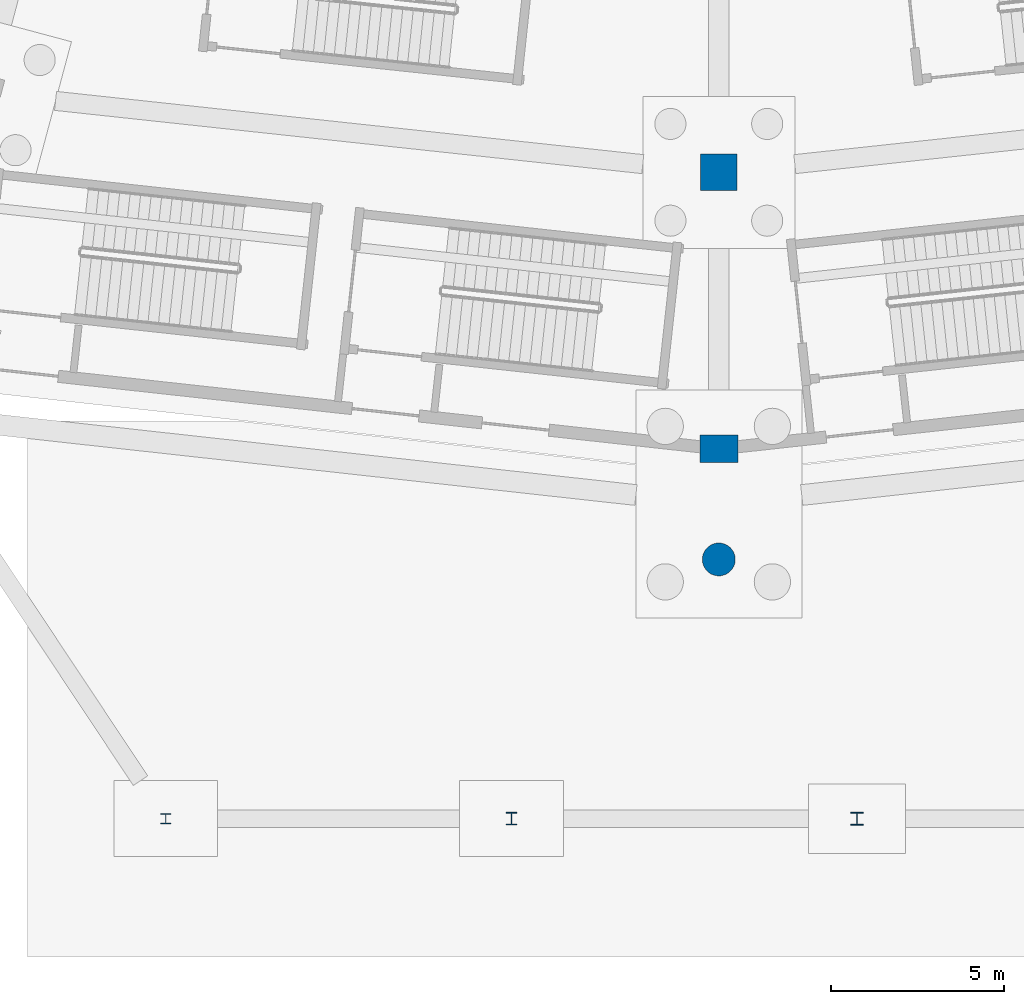
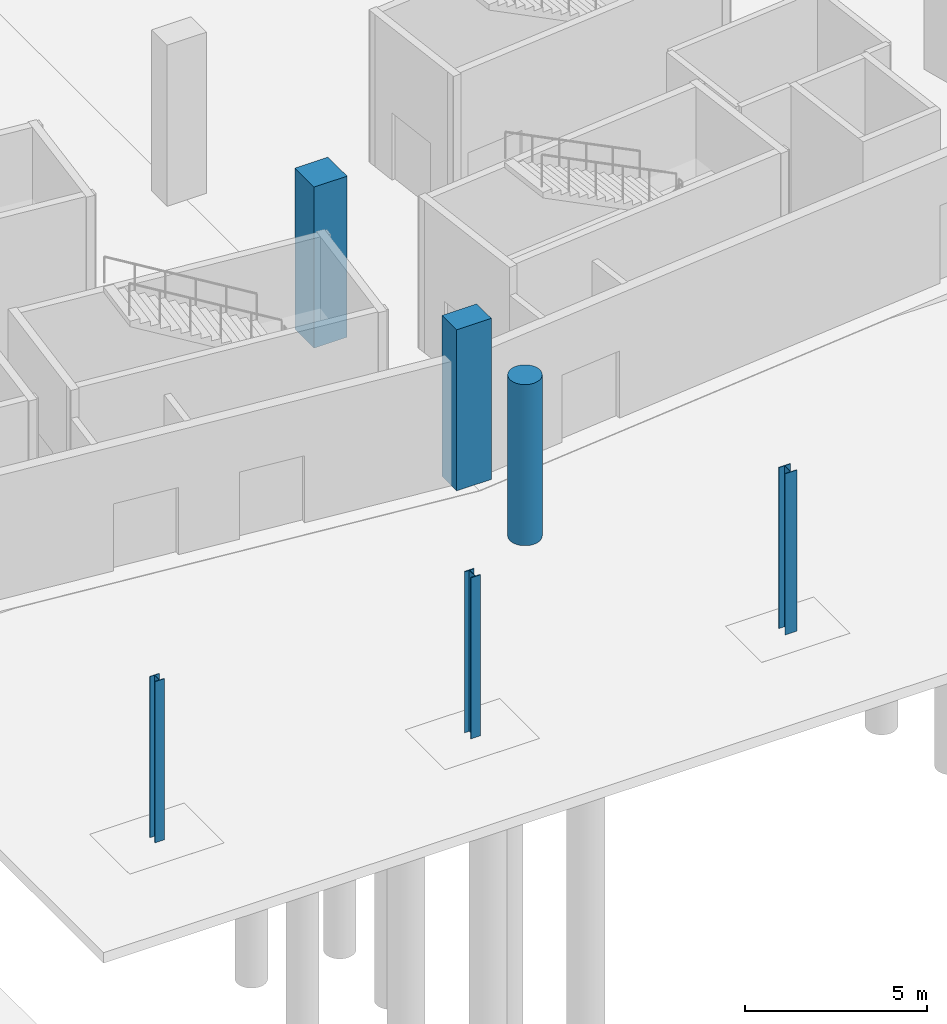
# One storey, part 17 of 103: 6 columns.
"""IFC4 building model written with IfcOpenShell, lengths in metres."""

from ifc_helpers import new_model, si_unit, direction, frame, origin, origin_2d, place, context, subcontext, project, spatial, rectangle, circle, i_section, extrude, material, material_profile, profile_set, type_object, element, save


model = new_model("IFC4")

# Units and contexts
model_context = context("Model", 3, precision=1e-05, world=origin(), true_north=direction((0.0, 1.0)))
body_context = subcontext(model_context, "Body", "Model", "MODEL_VIEW")
ifc_project = project(units=[si_unit("LENGTHUNIT", "METRE"), si_unit("AREAUNIT", "SQUARE_METRE"), si_unit("VOLUMEUNIT", "CUBIC_METRE"), si_unit("PLANEANGLEUNIT", "RADIAN"), si_unit("MASSUNIT", "GRAM", prefix="KILO")], contexts=[model_context])

# Site, building, storey
site_placement = place(None, origin())
site = spatial("IfcSite", under=ifc_project, at=site_placement, CompositionType="ELEMENT")
building_placement = place(site_placement, origin())
building = spatial("IfcBuilding", under=site, at=building_placement, Name="Zevraka Park Crest Stadium", CompositionType="ELEMENT")
storey_placement = place(building_placement, origin())
storey = spatial("IfcBuildingStorey", under=building, at=storey_placement, Name="L00", CompositionType="ELEMENT", Elevation=0.0)

# Columns
ifc_material_1 = material(Name="Concrete C40/50", Category="concrete")
ifc_material_profile_1 = material_profile(ifc_material_1, rectangle(XDim=0.800048828125, YDim=1.10009765625, at=origin_2d()), Name="RC 1100x800")
ifc_profile_set_1 = profile_set([ifc_material_profile_1], Name="Concrete C40/50")
column_type_1 = type_object("IfcColumnType", Name="C02", PredefinedType="COLUMN", material=ifc_profile_set_1)
column_1_placement = place(storey_placement, frame((112.0, 16.699951171875, 0.0), z_axis=(0.0, 0.0, 1.0), x_axis=(0.0, 1.0, 0.0)))
element("IfcColumn", 1, at=column_1_placement, inside=storey, type_object=column_type_1, Name="Perimeter Ring Column C02 L00-D-18", PredefinedType="COLUMN", context=body_context, shape_type="SweptSolid", body=[
    extrude(rectangle(XDim=0.800048828125, YDim=1.10009765625, at=origin_2d()), origin(), (0.0, 0.0, 1.0), 5.39990234375),
])
ifc_material_2 = material(Name="Concrete C40/50", Category="concrete")
ifc_material_profile_2 = material_profile(ifc_material_2, rectangle(XDim=1.050048828125, YDim=1.050048828125, at=origin_2d()), Name="RC 1050x1050")
ifc_profile_set_2 = profile_set([ifc_material_profile_2], Name="Concrete C40/50")
column_type_2 = type_object("IfcColumnType", Name="C03", PredefinedType="COLUMN", material=ifc_profile_set_2)
column_2_placement = place(storey_placement, frame((112.0, 24.699951171875, 0.0), z_axis=(0.0, 0.0, 1.0), x_axis=(0.0, 1.0, 0.0)))
element("IfcColumn", 2, at=column_2_placement, inside=storey, type_object=column_type_2, Name="Concourse Mid Column C03 L00-C-18", PredefinedType="COLUMN", context=body_context, shape_type="SweptSolid", body=[
    extrude(rectangle(XDim=1.050048828125, YDim=1.050048828125, at=origin_2d()), origin(), (0.0, 0.0, 1.0), 5.39990234375),
])
ifc_material_3 = material(Name="Steel S355", Category="steel")
ifc_material_profile_3 = material_profile(ifc_material_3, i_section(OverallWidth=0.367919921875, OverallDepth=0.367919921875, WebThickness=0.01220703125, FlangeThickness=0.020751953125, at=origin_2d()), Name="UKC 356x368x153")
ifc_profile_set_3 = profile_set([ifc_material_profile_3], Name="Steel S355")
column_type_3 = type_object("IfcColumnType", Name="C07", PredefinedType="COLUMN", material=ifc_profile_set_3)
column_3_placement = place(storey_placement, frame((116.0, 6.0, 0.0), z_axis=(0.0, 0.0, 1.0), x_axis=(1.0, 0.0, 0.0)))
element("IfcColumn", 3, at=column_3_placement, inside=storey, type_object=column_type_3, Name="Colonnade Post C07 PAD-S3", PredefinedType="COLUMN", context=body_context, shape_type="SweptSolid", body=[
    extrude(i_section(OverallWidth=0.367919921875, OverallDepth=0.367919921875, WebThickness=0.01220703125, FlangeThickness=0.020751953125, at=origin_2d()), origin(), (0.0, 0.0, 1.0), 5.39990234375),
])
ifc_material_4 = material(Name="Steel S355", Category="steel")
ifc_material_profile_4 = material_profile(ifc_material_4, i_section(OverallWidth=0.300048828125, OverallDepth=0.300048828125, WebThickness=0.010986328125, FlangeThickness=0.01904296875, at=origin_2d()), Name="HEB 300")
ifc_profile_set_4 = profile_set([ifc_material_profile_4], Name="Steel S355")
column_type_4 = type_object("IfcColumnType", Name="C09", PredefinedType="COLUMN", material=ifc_profile_set_4)
column_4_placement = place(storey_placement, frame((96.0, 6.0, 0.0), z_axis=(0.0, 0.0, 1.0), x_axis=(1.0, 0.0, 0.0)))
element("IfcColumn", 4, at=column_4_placement, inside=storey, type_object=column_type_4, Name="Colonnade Post C09 PAD-S1", PredefinedType="COLUMN", context=body_context, shape_type="SweptSolid", body=[
    extrude(i_section(OverallWidth=0.300048828125, OverallDepth=0.300048828125, WebThickness=0.010986328125, FlangeThickness=0.01904296875, at=origin_2d()), origin(), (0.0, 0.0, 1.0), 5.39990234375),
])
ifc_material_5 = material(Name="Concrete C40/50", Category="concrete")
ifc_material_profile_5 = material_profile(ifc_material_5, circle(Radius=0.47509765625, at=origin_2d()), Name="RC D950")
ifc_profile_set_5 = profile_set([ifc_material_profile_5], Name="Concrete C40/50")
column_type_5 = type_object("IfcColumnType", Name="C12", PredefinedType="COLUMN", material=ifc_profile_set_5)
column_5_placement = place(storey_placement, frame((112.0, 13.5, 0.0), z_axis=(0.0, 0.0, 1.0), x_axis=(0.0, 1.0, 0.0)))
element("IfcColumn", 5, at=column_5_placement, inside=storey, type_object=column_type_5, Name="Arcade Cumba Column C12 L00-E-18", PredefinedType="COLUMN", context=body_context, shape_type="SweptSolid", body=[
    extrude(circle(Radius=0.47509765625, at=origin_2d()), origin(), (0.0, 0.0, 1.0), 5.39990234375),
])
ifc_material_6 = material(Name="Steel S355", Category="steel")
ifc_material_profile_6 = material_profile(ifc_material_6, i_section(OverallWidth=0.300048828125, OverallDepth=0.360107421875, WebThickness=0.012451171875, FlangeThickness=0.0224609375, at=origin_2d()), Name="HEB 360")
ifc_profile_set_6 = profile_set([ifc_material_profile_6], Name="Steel S355")
column_type_6 = type_object("IfcColumnType", Name="C15", PredefinedType="COLUMN", material=ifc_profile_set_6)
column_6_placement = place(storey_placement, frame((106.0, 6.0, 0.0), z_axis=(0.0, 0.0, 1.0), x_axis=(1.0, 0.0, 0.0)))
element("IfcColumn", 6, at=column_6_placement, inside=storey, type_object=column_type_6, Name="Colonnade Post C15 PAD-S2", PredefinedType="COLUMN", context=body_context, shape_type="SweptSolid", body=[
    extrude(i_section(OverallWidth=0.300048828125, OverallDepth=0.360107421875, WebThickness=0.012451171875, FlangeThickness=0.0224609375, at=origin_2d()), origin(), (0.0, 0.0, 1.0), 5.39990234375),
])

save(model, "model.ifc")
